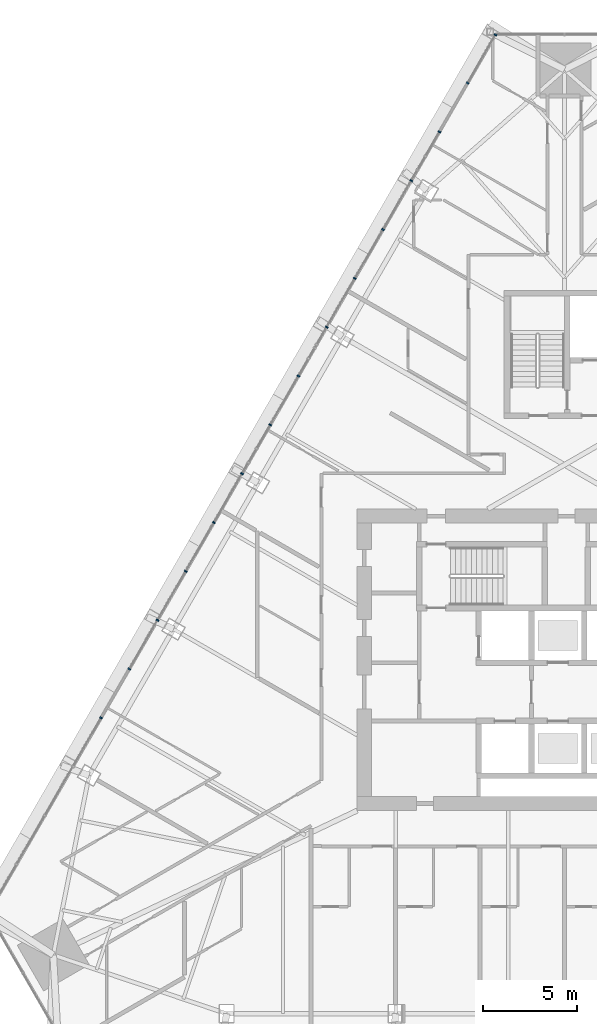
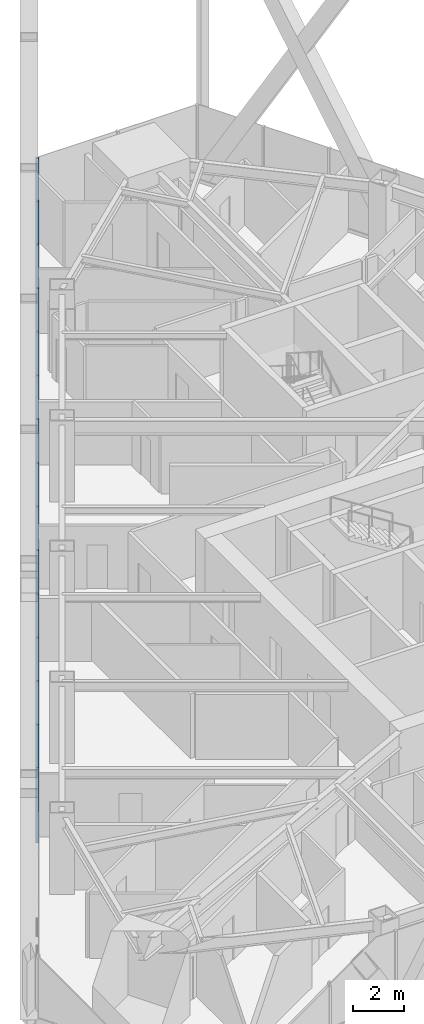
# One storey, part 5 of 24: 15 members, 2 openings, 1 element without a shape of its own.
"""IFC4 building model written with IfcOpenShell, lengths in metres."""

from ifc_helpers import new_model, si_unit, direction, frame, frame_2d, origin, origin_2d, place, context, subcontext, project, spatial, rectangle, extrude, material, layer, layer_set, material_profile, profile_set, type_object, element, aggregate, save


model = new_model("IFC4")

# Units and contexts
model_context = context("Model", 3, precision=1e-05, world=origin(), true_north=direction((0.0, 1.0)))
body_context = subcontext(model_context, "Body", "Model", "MODEL_VIEW")
ifc_project = project(units=[si_unit("LENGTHUNIT", "METRE"), si_unit("AREAUNIT", "SQUARE_METRE"), si_unit("VOLUMEUNIT", "CUBIC_METRE"), si_unit("PLANEANGLEUNIT", "RADIAN"), si_unit("MASSUNIT", "GRAM", prefix="KILO")], contexts=[model_context])

# Site, building, storey
site_placement = place(None, origin())
site = spatial("IfcSite", under=ifc_project, at=site_placement, CompositionType="ELEMENT")
building_placement = place(site_placement, origin())
building = spatial("IfcBuilding", under=site, at=building_placement, Name="Firuza Gate Tower and Library", CompositionType="ELEMENT")
storey_placement = place(building_placement, frame((0.0, 0.0, 171.39990234375)))
storey = spatial("IfcBuildingStorey", under=building, at=storey_placement, Name="L39", CompositionType="ELEMENT", Elevation=171.39990234375)

# Curtain wall, openings, members
ifc_material_1 = material(Name="Aluminium 6063-T6", Category="aluminium")
ifc_layer = layer(ifc_material_1, 0.14990234375)
ifc_layer_set = layer_set([ifc_layer], Name="Unitised curtain wall, hotel")
curtain_wall_type = type_object("IfcCurtainWallType", Name="Unitised curtain wall, hotel", PredefinedType="NOTDEFINED", material=ifc_layer_set)
curtain_wall_placement = place(storey_placement, origin())
curtain_wall = element("IfcCurtainWall", 1, at=curtain_wall_placement, inside=storey, type_object=curtain_wall_type, Name="CW2 L39 W face", PredefinedType="NOTDEFINED")
opening_1_placement = place(curtain_wall_placement, frame((69.840576171875, 105.572509765625, 0.150146484375), z_axis=(0.0, 0.0, 1.0), x_axis=(-0.5, -0.866025, 0.0)))
element("IfcOpeningElement", 2, at=opening_1_placement, cuts=curtain_wall, Name="Opening WD1-005", PredefinedType="OPENING", context=body_context, shape_type="SweptSolid", body=[
    extrude(rectangle(XDim=2.912109375, YDim=3.550048828125, at=frame_2d((1.4560546875, 1.77490234375))), frame((0.0, 0.0849609375, 0.0), z_axis=(0.0, -1.0, 0.0), x_axis=(1.0, 0.0, 0.0)), (0.0, 0.0, 1.0), 0.169921875),
])
opening_2_placement = place(curtain_wall_placement, frame((51.887939453125, 74.4775390625, 0.150146484375), z_axis=(0.0, 0.0, 1.0), x_axis=(-0.5, -0.866025, 0.0)))
element("IfcOpeningElement", 3, at=opening_2_placement, cuts=curtain_wall, Name="Opening WD1-006", PredefinedType="OPENING", context=body_context, shape_type="SweptSolid", body=[
    extrude(rectangle(XDim=2.912109375, YDim=3.550048828125, at=frame_2d((1.4560546875, 1.77490234375))), frame((0.0, 0.0849609375, 0.0), z_axis=(0.0, -1.0, 0.0), x_axis=(1.0, 0.0, 0.0)), (0.0, 0.0, 1.0), 0.169921875),
])
ifc_material_2 = material(Name="Aluminium 6063-T6", Category="aluminium")
ifc_material_profile = material_profile(ifc_material_2, rectangle(XDim=0.14990234375, YDim=0.080078125, at=origin_2d()))
ifc_profile_set = profile_set([ifc_material_profile], Name="Aluminium 6063-T6")
member_type = type_object("IfcMemberType", Name="Curtain wall mullion 80x150", PredefinedType="MULLION", material=ifc_profile_set)
member_1_placement = place(storey_placement, frame((71.336669921875, 108.163818359375, 0.150146484375), z_axis=(0.0, 0.0, 1.0), x_axis=(0.866025403784, -0.5, 0.0)))
member_1 = element("IfcMember", 4, at=member_1_placement, type_object=member_type, Name="Mullion", PredefinedType="MULLION", context=body_context, shape_type="SweptSolid", body=[
    extrude(rectangle(XDim=0.14990234375, YDim=0.080078125, at=origin_2d()), origin(), (0.0, 0.0, 1.0), 3.550048828125),
])
member_2_placement = place(storey_placement, frame((69.860595703125, 105.607177734375, 0.150146484375), z_axis=(0.0, 0.0, 1.0), x_axis=(0.866025403784, -0.5, 0.0)))
member_2 = element("IfcMember", 5, at=member_2_placement, type_object=member_type, Name="Mullion", PredefinedType="MULLION", context=body_context, shape_type="SweptSolid", body=[
    extrude(rectangle(XDim=0.14990234375, YDim=0.080078125, at=origin_2d()), origin(), (0.0, 0.0, 1.0), 3.550048828125),
])
member_3_placement = place(storey_placement, frame((68.364501953125, 103.015869140625, 0.150146484375), z_axis=(0.0, 0.0, 1.0), x_axis=(0.866025403784, -0.5, 0.0)))
member_3 = element("IfcMember", 6, at=member_3_placement, type_object=member_type, Name="Mullion", PredefinedType="MULLION", context=body_context, shape_type="SweptSolid", body=[
    extrude(rectangle(XDim=0.14990234375, YDim=0.080078125, at=origin_2d()), origin(), (0.0, 0.0, 1.0), 3.550048828125),
])
member_4_placement = place(storey_placement, frame((66.868408203125, 100.4248046875, 0.150146484375), z_axis=(0.0, 0.0, 1.0), x_axis=(0.866025403784, -0.5, 0.0)))
member_4 = element("IfcMember", 7, at=member_4_placement, type_object=member_type, Name="Mullion", PredefinedType="MULLION", context=body_context, shape_type="SweptSolid", body=[
    extrude(rectangle(XDim=0.14990234375, YDim=0.080078125, at=origin_2d()), origin(), (0.0, 0.0, 1.0), 3.550048828125),
])
member_5_placement = place(storey_placement, frame((65.37255859375, 97.83349609375, 0.150146484375), z_axis=(0.0, 0.0, 1.0), x_axis=(0.866025403784, -0.5, 0.0)))
member_5 = element("IfcMember", 8, at=member_5_placement, type_object=member_type, Name="Mullion", PredefinedType="MULLION", context=body_context, shape_type="SweptSolid", body=[
    extrude(rectangle(XDim=0.14990234375, YDim=0.080078125, at=origin_2d()), origin(), (0.0, 0.0, 1.0), 3.550048828125),
])
member_6_placement = place(storey_placement, frame((63.87646484375, 95.2421875, 0.150146484375), z_axis=(0.0, 0.0, 1.0), x_axis=(0.866025403784, -0.5, 0.0)))
member_6 = element("IfcMember", 9, at=member_6_placement, type_object=member_type, Name="Mullion", PredefinedType="MULLION", context=body_context, shape_type="SweptSolid", body=[
    extrude(rectangle(XDim=0.14990234375, YDim=0.080078125, at=origin_2d()), origin(), (0.0, 0.0, 1.0), 3.550048828125),
])
member_7_placement = place(storey_placement, frame((62.38037109375, 92.65087890625, 0.150146484375), z_axis=(0.0, 0.0, 1.0), x_axis=(0.866025403784, -0.5, 0.0)))
member_7 = element("IfcMember", 10, at=member_7_placement, type_object=member_type, Name="Mullion", PredefinedType="MULLION", context=body_context, shape_type="SweptSolid", body=[
    extrude(rectangle(XDim=0.14990234375, YDim=0.080078125, at=origin_2d()), origin(), (0.0, 0.0, 1.0), 3.550048828125),
])
member_8_placement = place(storey_placement, frame((60.88427734375, 90.059814453125, 0.150146484375), z_axis=(0.0, 0.0, 1.0), x_axis=(0.866025403784, -0.5, 0.0)))
member_8 = element("IfcMember", 11, at=member_8_placement, type_object=member_type, Name="Mullion", PredefinedType="MULLION", context=body_context, shape_type="SweptSolid", body=[
    extrude(rectangle(XDim=0.14990234375, YDim=0.080078125, at=origin_2d()), origin(), (0.0, 0.0, 1.0), 3.550048828125),
])
member_9_placement = place(storey_placement, frame((59.38818359375, 87.468505859375, 0.150146484375), z_axis=(0.0, 0.0, 1.0), x_axis=(0.866025403784, -0.5, 0.0)))
member_9 = element("IfcMember", 12, at=member_9_placement, type_object=member_type, Name="Mullion", PredefinedType="MULLION", context=body_context, shape_type="SweptSolid", body=[
    extrude(rectangle(XDim=0.14990234375, YDim=0.080078125, at=origin_2d()), origin(), (0.0, 0.0, 1.0), 3.550048828125),
])
member_10_placement = place(storey_placement, frame((57.89208984375, 84.877197265625, 0.150146484375), z_axis=(0.0, 0.0, 1.0), x_axis=(0.866025403784, -0.5, 0.0)))
member_10 = element("IfcMember", 13, at=member_10_placement, type_object=member_type, Name="Mullion", PredefinedType="MULLION", context=body_context, shape_type="SweptSolid", body=[
    extrude(rectangle(XDim=0.14990234375, YDim=0.080078125, at=origin_2d()), origin(), (0.0, 0.0, 1.0), 3.550048828125),
])
member_11_placement = place(storey_placement, frame((56.39599609375, 82.285888671875, 0.150146484375), z_axis=(0.0, 0.0, 1.0), x_axis=(0.866025403784, -0.5, 0.0)))
member_11 = element("IfcMember", 14, at=member_11_placement, type_object=member_type, Name="Mullion", PredefinedType="MULLION", context=body_context, shape_type="SweptSolid", body=[
    extrude(rectangle(XDim=0.14990234375, YDim=0.080078125, at=origin_2d()), origin(), (0.0, 0.0, 1.0), 3.550048828125),
])
member_12_placement = place(storey_placement, frame((54.900146484375, 79.69482421875, 0.150146484375), z_axis=(0.0, 0.0, 1.0), x_axis=(0.866025403784, -0.5, 0.0)))
member_12 = element("IfcMember", 15, at=member_12_placement, type_object=member_type, Name="Mullion", PredefinedType="MULLION", context=body_context, shape_type="SweptSolid", body=[
    extrude(rectangle(XDim=0.14990234375, YDim=0.080078125, at=origin_2d()), origin(), (0.0, 0.0, 1.0), 3.550048828125),
])
member_13_placement = place(storey_placement, frame((53.404052734375, 77.103515625, 0.150146484375), z_axis=(0.0, 0.0, 1.0), x_axis=(0.866025403784, -0.5, 0.0)))
member_13 = element("IfcMember", 16, at=member_13_placement, type_object=member_type, Name="Mullion", PredefinedType="MULLION", context=body_context, shape_type="SweptSolid", body=[
    extrude(rectangle(XDim=0.14990234375, YDim=0.080078125, at=origin_2d()), origin(), (0.0, 0.0, 1.0), 3.550048828125),
])
member_14_placement = place(storey_placement, frame((51.907958984375, 74.51220703125, 0.150146484375), z_axis=(0.0, 0.0, 1.0), x_axis=(0.866025403784, -0.5, 0.0)))
member_14 = element("IfcMember", 17, at=member_14_placement, type_object=member_type, Name="Mullion", PredefinedType="MULLION", context=body_context, shape_type="SweptSolid", body=[
    extrude(rectangle(XDim=0.14990234375, YDim=0.080078125, at=origin_2d()), origin(), (0.0, 0.0, 1.0), 3.550048828125),
])
member_15_placement = place(storey_placement, frame((50.411865234375, 71.9208984375, 0.150146484375), z_axis=(0.0, 0.0, 1.0), x_axis=(0.866025403784, -0.5, 0.0)))
member_15 = element("IfcMember", 18, at=member_15_placement, type_object=member_type, Name="Mullion", PredefinedType="MULLION", context=body_context, shape_type="SweptSolid", body=[
    extrude(rectangle(XDim=0.14990234375, YDim=0.080078125, at=origin_2d()), origin(), (0.0, 0.0, 1.0), 3.550048828125),
])
aggregate(curtain_wall, [member_1, member_2, member_3, member_4, member_5, member_6, member_7, member_8, member_9, member_10, member_11, member_12, member_13, member_14, member_15])

save(model, "model.ifc")
